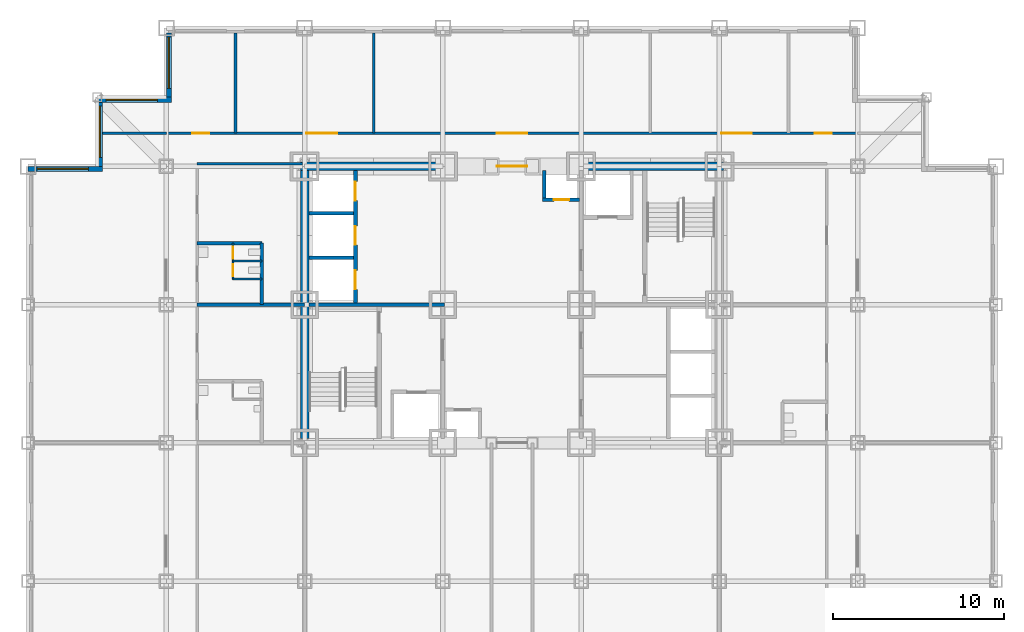
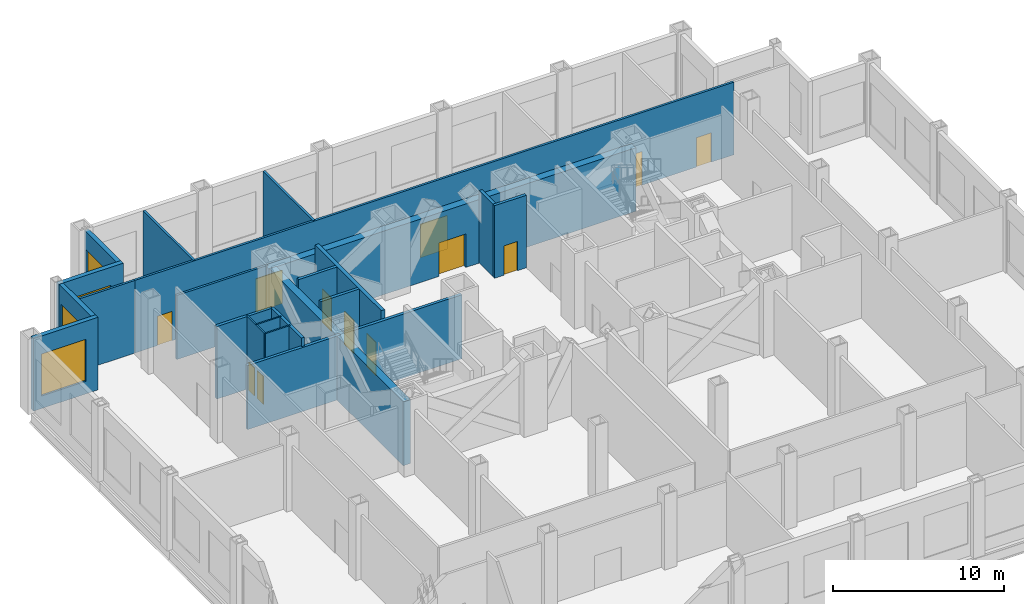
# One storey, part 6 of 10: 23 walls, 12 doors, 4 windows, 16 openings.
"""IFC4 building model written with IfcOpenShell, lengths in metres."""

from ifc_helpers import new_model, si_unit, direction, frame, frame_2d, origin, place, context, subcontext, project, spatial, rectangle, extrude, material, layer, layer_set, type_object, element, fill, save


model = new_model("IFC4")

# Units and contexts
model_context = context("Model", 3, precision=1e-05, world=origin(), true_north=direction((0.0, 1.0)))
body_context = subcontext(model_context, "Body", "Model", "MODEL_VIEW")
ifc_project = project(units=[si_unit("LENGTHUNIT", "METRE"), si_unit("AREAUNIT", "SQUARE_METRE"), si_unit("VOLUMEUNIT", "CUBIC_METRE"), si_unit("PLANEANGLEUNIT", "RADIAN"), si_unit("MASSUNIT", "GRAM", prefix="KILO")], contexts=[model_context])

# Site, building, storey
site_placement = place(None, origin())
site = spatial("IfcSite", under=ifc_project, at=site_placement, CompositionType="ELEMENT")
building_placement = place(site_placement, origin())
building = spatial("IfcBuilding", under=site, at=building_placement, Name="Kopane Lantern Tower", CompositionType="ELEMENT")
storey_placement = place(building_placement, frame((0.0, 0.0, 27.60009765625)))
storey = spatial("IfcBuildingStorey", under=building, at=storey_placement, Name="L05", CompositionType="ELEMENT", Elevation=27.60009765625)

# Wall, openings, doors
ifc_material_1 = material(Name="Moisture-resistant board on steel studs", Category="steel")
ifc_layer_1 = layer(ifc_material_1, 0.10009765625)
ifc_layer_set_1 = layer_set([ifc_layer_1], Name="BATHROOM WALL 100")
wall_type_1 = type_object("IfcWallType", Name="BATHROOM WALL 100", PredefinedType="PARTITIONING", material=ifc_layer_set_1)
wall_1_placement = place(storey_placement, frame((12.0, 33.89990234375, 0.0), z_axis=(0.0, 0.0, 1.0), x_axis=(0.0, 1.0, 0.0)))
wall_1 = element("IfcWall", 1, at=wall_1_placement, inside=storey, type_object=wall_type_1, Name="Bathroom Wall 100 L05", PredefinedType="PARTITIONING", context=body_context, shape_type="SweptSolid", body=[
    extrude(rectangle(XDim=2.10009765625, YDim=0.10009765625, at=frame_2d((1.050048828125, 0.0))), origin(), (0.0, 0.0, 1.0), 5.18994140625),
])
opening_1_placement = place(wall_1_placement, frame((0.175048828125, 0.0, 0.0)))
opening_1 = element("IfcOpeningElement", 2, at=opening_1_placement, cuts=wall_1, Name="Opening L05-026", PredefinedType="OPENING", context=body_context, shape_type="SweptSolid", body=[
    extrude(rectangle(XDim=0.699951171875, YDim=2.0, at=frame_2d((0.35009765625, 1.0))), frame((0.0, 0.06005859375, 0.0), z_axis=(0.0, -1.0, 0.0), x_axis=(1.0, 0.0, 0.0)), (0.0, 0.0, 1.0), 0.1201171875),
])
opening_2_placement = place(wall_1_placement, frame((1.199951171875, 0.0, 0.0)))
opening_2 = element("IfcOpeningElement", 3, at=opening_2_placement, cuts=wall_1, Name="Opening L05-027", PredefinedType="OPENING", context=body_context, shape_type="SweptSolid", body=[
    extrude(rectangle(XDim=0.699951171875, YDim=2.0, at=frame_2d((0.35009765625, 1.0))), frame((0.0, 0.06005859375, 0.0), z_axis=(0.0, -1.0, 0.0), x_axis=(1.0, 0.0, 0.0)), (0.0, 0.0, 1.0), 0.1201171875),
])
ifc_material_2 = material(Name="Timber door set", Category="wood")
door_type_1 = type_object("IfcDoorType", Name="DOOR D13 700x2000 WC CUBICLE", OperationType="SINGLE_SWING_LEFT", PredefinedType="DOOR", material=ifc_material_2)
door_1_placement = place(opening_1_placement, origin())
door_1 = element("IfcDoor", 4, at=door_1_placement, inside=storey, type_object=door_type_1, Name="Door L05-026", OperationType="SINGLE_SWING_LEFT", OverallHeight=2.0, OverallWidth=0.699951171875, PredefinedType="DOOR", context=body_context, shape_type="SweptSolid", body=[
    extrude(rectangle(XDim=0.699951171875, YDim=2.0, at=frame_2d((0.35009765625, 1.0))), frame((0.0, 0.02490234375, 0.0), z_axis=(0.0, -1.0, 0.0), x_axis=(1.0, 0.0, 0.0)), (0.0, 0.0, 1.0), 0.050048828125),
])
fill(opening_1, door_1)
door_2_placement = place(opening_2_placement, origin())
door_2 = element("IfcDoor", 5, at=door_2_placement, inside=storey, type_object=door_type_1, Name="Door L05-027", OperationType="SINGLE_SWING_RIGHT", OverallHeight=2.0, OverallWidth=0.699951171875, PredefinedType="DOOR", context=body_context, shape_type="SweptSolid", body=[
    extrude(rectangle(XDim=0.699951171875, YDim=2.0, at=frame_2d((0.35009765625, 1.0))), frame((0.0, 0.02490234375, 0.0), z_axis=(0.0, -1.0, 0.0), x_axis=(1.0, 0.0, 0.0)), (0.0, 0.0, 1.0), 0.050048828125),
])
fill(opening_2, door_2)

# Walls
for number, where, z_axis, x_axis, name in (
    (6, (12.0, 33.89990234375, 0.0), (0.0, 0.0, 1.0), (1.0, 0.0, 0.0), "Bathroom Wall 100 L05"),
    (7, (12.0, 34.949951171875, 0.0), (0.0, 0.0, 1.0), (1.0, 0.0, 0.0), "Bathroom Wall 100 L05"),
):
    element("IfcWall", number, at=place(storey_placement, frame(where, z_axis=z_axis, x_axis=x_axis)), inside=storey, type_object=wall_type_1, Name=name, PredefinedType="PARTITIONING", context=body_context, shape_type="SweptSolid", body=[
        extrude(rectangle(XDim=1.699951171875, YDim=0.10009765625, at=frame_2d((0.85009765625, 0.0))), origin(), (0.0, 0.0, 1.0), 5.18994140625),
    ])

# Wall, opening, door
ifc_material_3 = material(Name="Gypsum shaft wall EI 120", Category="gypsum")
ifc_layer_2 = layer(ifc_material_3, 0.5)
ifc_layer_set_2 = layer_set([ifc_layer_2], Name="CORE PERIMETER WALL 500 EI 120")
wall_type_2 = type_object("IfcWallType", Name="CORE PERIMETER WALL 500 EI 120", PredefinedType="SOLIDWALL", material=ifc_layer_set_2)
wall_2_placement = place(storey_placement, frame((15.949951171875, 40.5, 0.0), z_axis=(0.0, 0.0, 1.0), x_axis=(1.0, 0.0, 0.0)))
wall_2 = element("IfcWall", 8, at=wall_2_placement, inside=storey, type_object=wall_type_2, Name="Core shaft wall L05 PN", PredefinedType="SOLIDWALL", context=body_context, shape_type="SweptSolid", body=[
    extrude(rectangle(XDim=24.800048828125, YDim=0.5, at=frame_2d((12.39990234375, 0.0))), origin(), (0.0, 0.0, 1.0), 4.539794921875),
])
opening_3_placement = place(wall_2_placement, frame((11.5, 0.0, 0.0)))
opening_3 = element("IfcOpeningElement", 9, at=opening_3_placement, cuts=wall_2, Name="Opening 05.CE-N", PredefinedType="OPENING", context=body_context, shape_type="SweptSolid", body=[
    extrude(rectangle(XDim=1.800048828125, YDim=2.39990234375, at=frame_2d((0.89990234375, 1.199951171875))), frame((0.0, 0.260009765625, 0.0), z_axis=(0.0, -1.0, 0.0), x_axis=(1.0, 0.0, 0.0)), (0.0, 0.0, 1.0), 0.52001953125),
])
ifc_material_4 = material(Name="Steel door set", Category="steel")
door_type_2 = type_object("IfcDoorType", Name="CORE ENTRY DOOR 1800x2400 FD60S", OperationType="DOUBLE_DOOR_SINGLE_SWING", PredefinedType="DOOR", material=ifc_material_4)
door_3_placement = place(opening_3_placement, origin())
door_3 = element("IfcDoor", 10, at=door_3_placement, inside=storey, type_object=door_type_2, Name="Core entry door L05 north", OperationType="DOUBLE_DOOR_SINGLE_SWING", OverallHeight=2.39990234375, OverallWidth=1.800048828125, PredefinedType="DOOR", context=body_context, shape_type="SweptSolid", body=[
    extrude(rectangle(XDim=1.800048828125, YDim=2.39990234375, at=frame_2d((0.89990234375, 1.199951171875))), frame((0.0, 0.02490234375, 0.0), z_axis=(0.0, -1.0, 0.0), x_axis=(1.0, 0.0, 0.0)), (0.0, 0.0, 1.0), 0.050048828125),
])
fill(opening_3, door_3)

# Wall
wall_3_placement = place(storey_placement, frame((16.199951171875, 24.550048828125, 0.0), z_axis=(0.0, 0.0, 1.0), x_axis=(0.0, 1.0, 0.0)))
element("IfcWall", 11, at=wall_3_placement, inside=storey, type_object=wall_type_2, Name="Core shaft wall L05 PW", PredefinedType="SOLIDWALL", context=body_context, shape_type="SweptSolid", body=[
    extrude(rectangle(XDim=15.699951171875, YDim=0.5, at=frame_2d((7.85009765625, 0.0))), origin(), (0.0, 0.0, 1.0), 4.57763671875),
])

# Wall, openings, doors
ifc_material_5 = material(Name="Gypsum shaft wall EI 120", Category="gypsum")
ifc_layer_3 = layer(ifc_material_5, 0.25)
ifc_layer_set_3 = layer_set([ifc_layer_3], Name="CORE SHAFT WALL 250 EI 120")
wall_type_3 = type_object("IfcWallType", Name="CORE SHAFT WALL 250 EI 120", PredefinedType="SOLIDWALL", material=ifc_layer_set_3)
wall_4_placement = place(storey_placement, frame((19.175048828125, 32.5, 0.0), z_axis=(0.0, 0.0, 1.0), x_axis=(0.0, 1.0, 0.0)))
wall_4 = element("IfcWall", 12, at=wall_4_placement, inside=storey, type_object=wall_type_3, Name="Core shaft wall L05 XLH", PredefinedType="SOLIDWALL", context=body_context, shape_type="SweptSolid", body=[
    extrude(rectangle(XDim=7.75, YDim=0.25, at=frame_2d((3.875, 0.0))), origin(), (0.0, 0.0, 1.0), 5.18994140625),
])
opening_4_placement = place(wall_4_placement, frame((0.800048828125, 0.0, 0.0)))
opening_4 = element("IfcOpeningElement", 13, at=opening_4_placement, cuts=wall_4, Name="Opening 05.LD-LH1", PredefinedType="OPENING", context=body_context, shape_type="SweptSolid", body=[
    extrude(rectangle(XDim=1.10009765625, YDim=2.39990234375, at=frame_2d((0.550048828125, 1.199951171875))), frame((0.0, 0.135009765625, 0.0), z_axis=(0.0, -1.0, 0.0), x_axis=(1.0, 0.0, 0.0)), (0.0, 0.0, 1.0), 0.27001953125),
])
opening_5_placement = place(wall_4_placement, frame((3.39990234375, 0.0, 0.0)))
opening_5 = element("IfcOpeningElement", 14, at=opening_5_placement, cuts=wall_4, Name="Opening 05.LD-LH2", PredefinedType="OPENING", context=body_context, shape_type="SweptSolid", body=[
    extrude(rectangle(XDim=1.10009765625, YDim=2.39990234375, at=frame_2d((0.550048828125, 1.199951171875))), frame((0.0, 0.135009765625, 0.0), z_axis=(0.0, -1.0, 0.0), x_axis=(1.0, 0.0, 0.0)), (0.0, 0.0, 1.0), 0.27001953125),
])
opening_6_placement = place(wall_4_placement, frame((6.0, 0.0, 0.0)))
opening_6 = element("IfcOpeningElement", 15, at=opening_6_placement, cuts=wall_4, Name="Opening 05.LD-LH3", PredefinedType="OPENING", context=body_context, shape_type="SweptSolid", body=[
    extrude(rectangle(XDim=1.10009765625, YDim=2.39990234375, at=frame_2d((0.550048828125, 1.199951171875))), frame((0.0, 0.135009765625, 0.0), z_axis=(0.0, -1.0, 0.0), x_axis=(1.0, 0.0, 0.0)), (0.0, 0.0, 1.0), 0.27001953125),
])
ifc_material_6 = material(Name="Steel door set", Category="steel")
door_type_3 = type_object("IfcDoorType", Name="LIFT LANDING DOOR 1100x2400 FD60", OperationType="DOUBLE_DOOR_SLIDING", PredefinedType="DOOR", material=ifc_material_6)
door_4_placement = place(opening_4_placement, origin())
door_4 = element("IfcDoor", 16, at=door_4_placement, inside=storey, type_object=door_type_3, Name="Landing door LH1 L05", OperationType="DOUBLE_DOOR_SLIDING", OverallHeight=2.39990234375, OverallWidth=1.10009765625, PredefinedType="DOOR", context=body_context, shape_type="SweptSolid", body=[
    extrude(rectangle(XDim=1.10009765625, YDim=2.39990234375, at=frame_2d((0.550048828125, 1.199951171875))), frame((0.0, 0.02490234375, 0.0), z_axis=(0.0, -1.0, 0.0), x_axis=(1.0, 0.0, 0.0)), (0.0, 0.0, 1.0), 0.050048828125),
])
fill(opening_4, door_4)
door_5_placement = place(opening_5_placement, origin())
door_5 = element("IfcDoor", 17, at=door_5_placement, inside=storey, type_object=door_type_3, Name="Landing door LH2 L05", OperationType="DOUBLE_DOOR_SLIDING", OverallHeight=2.39990234375, OverallWidth=1.10009765625, PredefinedType="DOOR", context=body_context, shape_type="SweptSolid", body=[
    extrude(rectangle(XDim=1.10009765625, YDim=2.39990234375, at=frame_2d((0.550048828125, 1.199951171875))), frame((0.0, 0.02490234375, 0.0), z_axis=(0.0, -1.0, 0.0), x_axis=(1.0, 0.0, 0.0)), (0.0, 0.0, 1.0), 0.050048828125),
])
fill(opening_5, door_5)
door_6_placement = place(opening_6_placement, origin())
door_6 = element("IfcDoor", 18, at=door_6_placement, inside=storey, type_object=door_type_3, Name="Landing door LH3 L05", OperationType="DOUBLE_DOOR_SLIDING", OverallHeight=2.39990234375, OverallWidth=1.10009765625, PredefinedType="DOOR", context=body_context, shape_type="SweptSolid", body=[
    extrude(rectangle(XDim=1.10009765625, YDim=2.39990234375, at=frame_2d((0.550048828125, 1.199951171875))), frame((0.0, 0.02490234375, 0.0), z_axis=(0.0, -1.0, 0.0), x_axis=(1.0, 0.0, 0.0)), (0.0, 0.0, 1.0), 0.050048828125),
])
fill(opening_6, door_6)

ifc_material_7 = material(Name="Gypsum board on steel studs", Category="steel")
ifc_layer_4 = layer(ifc_material_7, 0.14990234375)
ifc_layer_set_4 = layer_set([ifc_layer_4], Name="CORRIDOR WALL 150 EI 60")
wall_type_4 = type_object("IfcWallType", Name="CORRIDOR WALL 150 EI 60", PredefinedType="PARTITIONING", material=ifc_layer_set_4)
wall_5_placement = place(storey_placement, frame((8.10009765625, 42.449951171875, 0.0), z_axis=(0.0, 0.0, 1.0), x_axis=(1.0, 0.0, 0.0)))
wall_5 = element("IfcWall", 19, at=wall_5_placement, inside=storey, type_object=wall_type_4, Name="Corridor Wall 150 Ei 60 L05", PredefinedType="PARTITIONING", context=body_context, shape_type="SweptSolid", body=[
    extrude(rectangle(XDim=40.5, YDim=0.14990234375, at=frame_2d((20.25, 0.0))), origin(), (0.0, 0.0, 1.0), 5.18994140625),
])
opening_7_placement = place(wall_5_placement, frame((8.199951171875, 0.0, 0.0)))
opening_7 = element("IfcOpeningElement", 20, at=opening_7_placement, cuts=wall_5, Name="Opening L05-014", PredefinedType="OPENING", context=body_context, shape_type="SweptSolid", body=[
    extrude(rectangle(XDim=1.800048828125, YDim=2.39990234375, at=frame_2d((0.89990234375, 1.199951171875))), frame((0.0, 0.0849609375, 0.0), z_axis=(0.0, -1.0, 0.0), x_axis=(1.0, 0.0, 0.0)), (0.0, 0.0, 1.0), 0.169921875),
])
opening_8_placement = place(wall_5_placement, frame((19.35009765625, 0.0, 0.0)))
opening_8 = element("IfcOpeningElement", 21, at=opening_8_placement, cuts=wall_5, Name="Opening L05-015", PredefinedType="OPENING", context=body_context, shape_type="SweptSolid", body=[
    extrude(rectangle(XDim=1.800048828125, YDim=2.39990234375, at=frame_2d((0.89990234375, 1.199951171875))), frame((0.0, 0.0849609375, 0.0), z_axis=(0.0, -1.0, 0.0), x_axis=(1.0, 0.0, 0.0)), (0.0, 0.0, 1.0), 0.169921875),
])
opening_9_placement = place(wall_5_placement, frame((32.5, 0.0, 0.0)))
opening_9 = element("IfcOpeningElement", 22, at=opening_9_placement, cuts=wall_5, Name="Opening L05-016", PredefinedType="OPENING", context=body_context, shape_type="SweptSolid", body=[
    extrude(rectangle(XDim=1.800048828125, YDim=2.39990234375, at=frame_2d((0.89990234375, 1.199951171875))), frame((0.0, 0.0849609375, 0.0), z_axis=(0.0, -1.0, 0.0), x_axis=(1.0, 0.0, 0.0)), (0.0, 0.0, 1.0), 0.169921875),
])
opening_10_placement = place(wall_5_placement, frame((37.97509765625, 0.0, 0.0)))
opening_10 = element("IfcOpeningElement", 23, at=opening_10_placement, cuts=wall_5, Name="Opening L05-023", PredefinedType="OPENING", context=body_context, shape_type="SweptSolid", body=[
    extrude(rectangle(XDim=1.0, YDim=2.10009765625, at=frame_2d((0.5, 1.050048828125))), frame((0.0, 0.0849609375, 0.0), z_axis=(0.0, -1.0, 0.0), x_axis=(1.0, 0.0, 0.0)), (0.0, 0.0, 1.0), 0.169921875),
])
opening_11_placement = place(wall_5_placement, frame((1.52490234375, 0.0, 0.0)))
opening_11 = element("IfcOpeningElement", 24, at=opening_11_placement, cuts=wall_5, Name="Opening L05-024", PredefinedType="OPENING", context=body_context, shape_type="SweptSolid", body=[
    extrude(rectangle(XDim=1.0, YDim=2.10009765625, at=frame_2d((0.5, 1.050048828125))), frame((0.0, 0.0849609375, 0.0), z_axis=(0.0, -1.0, 0.0), x_axis=(1.0, 0.0, 0.0)), (0.0, 0.0, 1.0), 0.169921875),
])
ifc_material_8 = material(Name="Steel door set", Category="steel")
door_type_4 = type_object("IfcDoorType", Name="DOOR D5 1000x2100 FD60", OperationType="SINGLE_SWING_LEFT", PredefinedType="DOOR", material=ifc_material_8)
door_7_placement = place(opening_10_placement, origin())
door_7 = element("IfcDoor", 25, at=door_7_placement, inside=storey, type_object=door_type_4, Name="Door L05-023", OperationType="SINGLE_SWING_LEFT", OverallHeight=2.10009765625, OverallWidth=1.0, PredefinedType="DOOR", context=body_context, shape_type="SweptSolid", body=[
    extrude(rectangle(XDim=1.0, YDim=2.10009765625, at=frame_2d((0.5, 1.050048828125))), frame((0.0, 0.02490234375, 0.0), z_axis=(0.0, -1.0, 0.0), x_axis=(1.0, 0.0, 0.0)), (0.0, 0.0, 1.0), 0.050048828125),
])
fill(opening_10, door_7)
door_8_placement = place(opening_11_placement, origin())
door_8 = element("IfcDoor", 26, at=door_8_placement, inside=storey, type_object=door_type_4, Name="Door L05-024", OperationType="SINGLE_SWING_RIGHT", OverallHeight=2.10009765625, OverallWidth=1.0, PredefinedType="DOOR", context=body_context, shape_type="SweptSolid", body=[
    extrude(rectangle(XDim=1.0, YDim=2.10009765625, at=frame_2d((0.5, 1.050048828125))), frame((0.0, 0.02490234375, 0.0), z_axis=(0.0, -1.0, 0.0), x_axis=(1.0, 0.0, 0.0)), (0.0, 0.0, 1.0), 0.050048828125),
])
fill(opening_11, door_8)
ifc_material_9 = material(Name="Steel door set", Category="steel")
door_type_5 = type_object("IfcDoorType", Name="DOOR D6 1800x2400 FD30S", OperationType="SINGLE_SWING_LEFT", PredefinedType="DOOR", material=ifc_material_9)
door_9_placement = place(opening_7_placement, origin())
door_9 = element("IfcDoor", 27, at=door_9_placement, inside=storey, type_object=door_type_5, Name="Door L05-014", OperationType="DOUBLE_DOOR_SINGLE_SWING", OverallHeight=2.39990234375, OverallWidth=1.800048828125, PredefinedType="DOOR", context=body_context, shape_type="SweptSolid", body=[
    extrude(rectangle(XDim=1.800048828125, YDim=2.39990234375, at=frame_2d((0.89990234375, 1.199951171875))), frame((0.0, 0.02490234375, 0.0), z_axis=(0.0, -1.0, 0.0), x_axis=(1.0, 0.0, 0.0)), (0.0, 0.0, 1.0), 0.050048828125),
])
fill(opening_7, door_9)
ifc_material_10 = material(Name="Steel door set", Category="steel")
door_type_6 = type_object("IfcDoorType", Name="DOOR D8 1800x2400 FD120", OperationType="SINGLE_SWING_LEFT", PredefinedType="DOOR", material=ifc_material_10)
door_10_placement = place(opening_8_placement, origin())
door_10 = element("IfcDoor", 28, at=door_10_placement, inside=storey, type_object=door_type_6, Name="Door L05-015", OperationType="DOUBLE_DOOR_SINGLE_SWING", OverallHeight=2.39990234375, OverallWidth=1.800048828125, PredefinedType="DOOR", context=body_context, shape_type="SweptSolid", body=[
    extrude(rectangle(XDim=1.800048828125, YDim=2.39990234375, at=frame_2d((0.89990234375, 1.199951171875))), frame((0.0, 0.02490234375, 0.0), z_axis=(0.0, -1.0, 0.0), x_axis=(1.0, 0.0, 0.0)), (0.0, 0.0, 1.0), 0.050048828125),
])
fill(opening_8, door_10)
door_11_placement = place(opening_9_placement, origin())
door_11 = element("IfcDoor", 29, at=door_11_placement, inside=storey, type_object=door_type_6, Name="Door L05-016", OperationType="DOUBLE_DOOR_SINGLE_SWING", OverallHeight=2.39990234375, OverallWidth=1.800048828125, PredefinedType="DOOR", context=body_context, shape_type="SweptSolid", body=[
    extrude(rectangle(XDim=1.800048828125, YDim=2.39990234375, at=frame_2d((0.89990234375, 1.199951171875))), frame((0.0, 0.02490234375, 0.0), z_axis=(0.0, -1.0, 0.0), x_axis=(1.0, 0.0, 0.0)), (0.0, 0.0, 1.0), 0.050048828125),
])
fill(opening_9, door_11)

# Walls
wall_6_placement = place(storey_placement, frame((16.068115234375, 40.64990234375, 0.0), z_axis=(0.0, 0.0, 1.0), x_axis=(-1.0, 0.0, 0.0)))
element("IfcWall", 30, at=wall_6_placement, inside=storey, type_object=wall_type_4, Name="Corridor Wall 150 Ei 60 L05", PredefinedType="PARTITIONING", context=body_context, shape_type="SweptSolid", body=[
    extrude(rectangle(XDim=6.168212890625, YDim=0.14990234375, at=frame_2d((3.083984375, 0.0))), origin(), (0.0, 0.0, 1.0), 4.57763671875),
])
ifc_material_11 = material(Name="Gypsum board on steel studs", Category="steel")
ifc_layer_5 = layer(ifc_material_11, 0.14990234375)
ifc_layer_set_5 = layer_set([ifc_layer_5], Name="DEMISING WALL 150 EI 60")
wall_type_5 = type_object("IfcWallType", Name="DEMISING WALL 150 EI 60", PredefinedType="PARTITIONING", material=ifc_layer_set_5)
wall_7_placement = place(storey_placement, frame((20.25, 42.449951171875, 0.0), z_axis=(0.0, 0.0, 1.0), x_axis=(0.0, 1.0, 0.0)))
element("IfcWall", 31, at=wall_7_placement, inside=storey, type_object=wall_type_5, Name="Demising Wall 150 Ei 60 L05", PredefinedType="PARTITIONING", context=body_context, shape_type="SweptSolid", body=[
    extrude(rectangle(XDim=5.85009765625, YDim=0.14990234375, at=frame_2d((2.925048828125, 0.0))), origin(), (0.0, 0.0, 1.0), 5.18994140625),
])
wall_8_placement = place(storey_placement, frame((4.35009765625, 42.449951171875, 0.0), z_axis=(0.0, 0.0, 1.0), x_axis=(1.0, 0.0, 0.0)))
element("IfcWall", 32, at=wall_8_placement, inside=storey, type_object=wall_type_5, Name="Demising Wall 150 Ei 60 L05", PredefinedType="PARTITIONING", context=body_context, shape_type="SweptSolid", body=[
    extrude(rectangle(XDim=3.75, YDim=0.14990234375, at=frame_2d((1.875, 0.0))), origin(), (0.0, 0.0, 1.0), 5.18994140625),
])
wall_9_placement = place(storey_placement, frame((12.14990234375, 42.449951171875, 0.0), z_axis=(0.0, 0.0, 1.0), x_axis=(0.0, 1.0, 0.0)))
element("IfcWall", 33, at=wall_9_placement, inside=storey, type_object=wall_type_5, Name="Demising Wall 150 Ei 60 L05", PredefinedType="PARTITIONING", context=body_context, shape_type="SweptSolid", body=[
    extrude(rectangle(XDim=5.85009765625, YDim=0.14990234375, at=frame_2d((2.925048828125, 0.0))), origin(), (0.0, 0.0, 1.0), 5.18994140625),
])

# Wall, opening, window
ifc_material_12 = material(Name="Terracotta rainscreen on light steel framing", Category="masonry")
ifc_layer_6 = layer(ifc_material_12, 0.300048828125)
ifc_layer_set_6 = layer_set([ifc_layer_6], Name="EXTERNAL WALL EW1 300 TERRACOTTA")
wall_type_6 = type_object("IfcWallType", Name="EXTERNAL WALL EW1 300 TERRACOTTA", PredefinedType="SOLIDWALL", material=ifc_layer_set_6)
wall_10_placement = place(storey_placement, frame((8.25, 48.300048828125, 0.0), z_axis=(0.0, 0.0, 1.0), x_axis=(0.0, -1.0, 0.0)))
wall_10 = element("IfcWall", 34, at=wall_10_placement, inside=storey, type_object=wall_type_6, Name="External wall W L05", PredefinedType="SOLIDWALL", context=body_context, shape_type="SweptSolid", body=[
    extrude(rectangle(XDim=3.75, YDim=0.300048828125, at=frame_2d((1.875, 0.0))), origin(), (0.0, 0.0, 1.0), 5.18994140625),
])
opening_12_placement = place(wall_10_placement, frame((0.22509765625, 0.0, 0.89990234375)))
opening_12 = element("IfcOpeningElement", 35, at=opening_12_placement, cuts=wall_10, Name="Opening WR300300", PredefinedType="OPENING", context=body_context, shape_type="SweptSolid", body=[
    extrude(rectangle(XDim=3.0, YDim=3.0, at=frame_2d((1.5, 1.5))), frame((0.0, 0.159912109375, 0.0), z_axis=(0.0, -1.0, 0.0), x_axis=(1.0, 0.0, 0.0)), (0.0, 0.0, 1.0), 0.320068359375),
])
ifc_material_13 = material(Name="Aluminium and clear glass", Category="aluminium")
window_type = type_object("IfcWindowType", Name="RIBBON WINDOW WR300300 3000x3000", PartitioningType="SINGLE_PANEL", PredefinedType="WINDOW", material=ifc_material_13)
window_1_placement = place(opening_12_placement, origin())
window_1 = element("IfcWindow", 36, at=window_1_placement, inside=storey, type_object=window_type, Name="Window W L05", OverallHeight=3.0, OverallWidth=3.0, PartitioningType="SINGLE_PANEL", PredefinedType="WINDOW", context=body_context, shape_type="SweptSolid", body=[
    extrude(rectangle(XDim=3.0, YDim=3.0, at=frame_2d((1.5, 1.5))), frame((0.0, 0.030029296875, 0.0), z_axis=(0.0, -1.0, 0.0), x_axis=(1.0, 0.0, 0.0)), (0.0, 0.0, 1.0), 0.06005859375),
])
fill(opening_12, window_1)

wall_11_placement = place(storey_placement, frame((8.39990234375, 44.39990234375, 0.0), z_axis=(0.0, 0.0, 1.0), x_axis=(-1.0, 0.0, 0.0)))
wall_11 = element("IfcWall", 37, at=wall_11_placement, inside=storey, type_object=wall_type_6, Name="External wall N L05", PredefinedType="SOLIDWALL", context=body_context, shape_type="SweptSolid", body=[
    extrude(rectangle(XDim=4.349853515625, YDim=0.300048828125, at=frame_2d((2.1748046875, 0.0))), origin(), (0.0, 0.0, 1.0), 5.18994140625),
])
opening_13_placement = place(wall_11_placement, frame((0.824951171875, 0.0, 0.89990234375)))
opening_13 = element("IfcOpeningElement", 38, at=opening_13_placement, cuts=wall_11, Name="Opening WR300300", PredefinedType="OPENING", context=body_context, shape_type="SweptSolid", body=[
    extrude(rectangle(XDim=3.0, YDim=3.0, at=frame_2d((1.5, 1.5))), frame((0.0, 0.159912109375, 0.0), z_axis=(0.0, -1.0, 0.0), x_axis=(1.0, 0.0, 0.0)), (0.0, 0.0, 1.0), 0.320068359375),
])
window_2_placement = place(opening_13_placement, origin())
window_2 = element("IfcWindow", 39, at=window_2_placement, inside=storey, type_object=window_type, Name="Window N L05", OverallHeight=3.0, OverallWidth=3.0, PartitioningType="SINGLE_PANEL", PredefinedType="WINDOW", context=body_context, shape_type="SweptSolid", body=[
    extrude(rectangle(XDim=3.0, YDim=3.0, at=frame_2d((1.5, 1.5))), frame((0.0, 0.030029296875, 0.0), z_axis=(0.0, -1.0, 0.0), x_axis=(1.0, 0.0, 0.0)), (0.0, 0.0, 1.0), 0.06005859375),
])
fill(opening_13, window_2)

wall_12_placement = place(storey_placement, frame((4.199951171875, 44.25, 0.0), z_axis=(0.0, 0.0, 1.0), x_axis=(0.0, -1.0, 0.0)))
wall_12 = element("IfcWall", 40, at=wall_12_placement, inside=storey, type_object=wall_type_6, Name="External wall W L05", PredefinedType="SOLIDWALL", context=body_context, shape_type="SweptSolid", body=[
    extrude(rectangle(XDim=3.75, YDim=0.300048828125, at=frame_2d((1.875, 0.0))), origin(), (0.0, 0.0, 1.0), 5.18994140625),
])
opening_14_placement = place(wall_12_placement, frame((0.22509765625, 0.0, 0.89990234375)))
opening_14 = element("IfcOpeningElement", 41, at=opening_14_placement, cuts=wall_12, Name="Opening WR300300", PredefinedType="OPENING", context=body_context, shape_type="SweptSolid", body=[
    extrude(rectangle(XDim=3.0, YDim=3.0, at=frame_2d((1.5, 1.5))), frame((0.0, 0.159912109375, 0.0), z_axis=(0.0, -1.0, 0.0), x_axis=(1.0, 0.0, 0.0)), (0.0, 0.0, 1.0), 0.320068359375),
])
window_3_placement = place(opening_14_placement, origin())
window_3 = element("IfcWindow", 42, at=window_3_placement, inside=storey, type_object=window_type, Name="Window W L05", OverallHeight=3.0, OverallWidth=3.0, PartitioningType="SINGLE_PANEL", PredefinedType="WINDOW", context=body_context, shape_type="SweptSolid", body=[
    extrude(rectangle(XDim=3.0, YDim=3.0, at=frame_2d((1.5, 1.5))), frame((0.0, 0.030029296875, 0.0), z_axis=(0.0, -1.0, 0.0), x_axis=(1.0, 0.0, 0.0)), (0.0, 0.0, 1.0), 0.06005859375),
])
fill(opening_14, window_3)

wall_13_placement = place(storey_placement, frame((4.35009765625, 40.35009765625, 0.0), z_axis=(0.0, 0.0, 1.0), x_axis=(-1.0, 0.0, 0.0)))
wall_13 = element("IfcWall", 43, at=wall_13_placement, inside=storey, type_object=wall_type_6, Name="External wall N L05", PredefinedType="SOLIDWALL", context=body_context, shape_type="SweptSolid", body=[
    extrude(rectangle(XDim=4.35009765625, YDim=0.300048828125, at=frame_2d((2.175048828125, 0.0))), origin(), (0.0, 0.0, 1.0), 5.18994140625),
])
opening_15_placement = place(wall_13_placement, frame((0.824951171875, 0.0, 0.89990234375)))
opening_15 = element("IfcOpeningElement", 44, at=opening_15_placement, cuts=wall_13, Name="Opening WR300300", PredefinedType="OPENING", context=body_context, shape_type="SweptSolid", body=[
    extrude(rectangle(XDim=3.0, YDim=3.0, at=frame_2d((1.5, 1.5))), frame((0.0, 0.159912109375, 0.0), z_axis=(0.0, -1.0, 0.0), x_axis=(1.0, 0.0, 0.0)), (0.0, 0.0, 1.0), 0.320068359375),
])
window_4_placement = place(opening_15_placement, origin())
window_4 = element("IfcWindow", 45, at=window_4_placement, inside=storey, type_object=window_type, Name="Window N L05", OverallHeight=3.0, OverallWidth=3.0, PartitioningType="SINGLE_PANEL", PredefinedType="WINDOW", context=body_context, shape_type="SweptSolid", body=[
    extrude(rectangle(XDim=3.0, YDim=3.0, at=frame_2d((1.5, 1.5))), frame((0.0, 0.030029296875, 0.0), z_axis=(0.0, -1.0, 0.0), x_axis=(1.0, 0.0, 0.0)), (0.0, 0.0, 1.0), 0.06005859375),
])
fill(opening_15, window_4)

# Walls
ifc_material_14 = material(Name="Concrete masonry", Category="masonry")
ifc_layer_7 = layer(ifc_material_14, 0.199951171875)
ifc_layer_set_7 = layer_set([ifc_layer_7], Name="PLANT ROOM WALL 200 EI 120")
wall_type_7 = type_object("IfcWallType", Name="PLANT ROOM WALL 200 EI 120", PredefinedType="SOLIDWALL", material=ifc_layer_set_7)
wall_14_placement = place(storey_placement, frame((9.89990234375, 32.39990234375, 0.0), z_axis=(0.0, 0.0, 1.0), x_axis=(1.0, 0.0, 0.0)))
element("IfcWall", 46, at=wall_14_placement, inside=storey, type_object=wall_type_7, Name="Plant Room Wall 200 Ei 120 L05", PredefinedType="SOLIDWALL", context=body_context, shape_type="SweptSolid", body=[
    extrude(rectangle(XDim=6.300048828125, YDim=0.199951171875, at=frame_2d((3.14990234375, 0.0))), origin(), (0.0, 0.0, 1.0), 4.57763671875),
])
wall_15_placement = place(storey_placement, frame((9.89990234375, 36.0, 0.0), z_axis=(0.0, 0.0, 1.0), x_axis=(1.0, 0.0, 0.0)))
element("IfcWall", 47, at=wall_15_placement, inside=storey, type_object=wall_type_7, Name="Plant Room Wall 200 Ei 120 L05", PredefinedType="SOLIDWALL", context=body_context, shape_type="SweptSolid", body=[
    extrude(rectangle(XDim=3.800048828125, YDim=0.199951171875, at=frame_2d((1.89990234375, 0.0))), origin(), (0.0, 0.0, 1.0), 5.18994140625),
])
wall_16_placement = place(storey_placement, frame((13.699951171875, 32.39990234375, 0.0), z_axis=(0.0, 0.0, 1.0), x_axis=(0.0, 1.0, 0.0)))
element("IfcWall", 48, at=wall_16_placement, inside=storey, type_object=wall_type_7, Name="Plant Room Wall 200 Ei 120 L05", PredefinedType="SOLIDWALL", context=body_context, shape_type="SweptSolid", body=[
    extrude(rectangle(XDim=3.60009765625, YDim=0.199951171875, at=frame_2d((1.800048828125, 0.0))), origin(), (0.0, 0.0, 1.0), 5.18994140625),
])
ifc_material_15 = material(Name="Gypsum shaft wall EI 120", Category="gypsum")
ifc_layer_8 = layer(ifc_material_15, 0.199951171875)
ifc_layer_set_8 = layer_set([ifc_layer_8], Name="SHAFT WALL 200 EI 120")
wall_type_8 = type_object("IfcWallType", Name="SHAFT WALL 200 EI 120", PredefinedType="SOLIDWALL", material=ifc_layer_set_8)
wall_17_placement = place(storey_placement, frame((16.449951171875, 32.39990234375, 0.0), z_axis=(0.0, 0.0, 1.0), x_axis=(1.0, 0.0, 0.0)))
element("IfcWall", 49, at=wall_17_placement, inside=storey, type_object=wall_type_8, Name="Core shaft wall L05 Y324W", PredefinedType="SOLIDWALL", context=body_context, shape_type="SweptSolid", body=[
    extrude(rectangle(XDim=7.949951171875, YDim=0.199951171875, at=frame_2d((3.97509765625, 0.0))), origin(), (0.0, 0.0, 1.0), 4.57763671875),
])
for number, where, z_axis, x_axis, name in (
    (50, (16.449951171875, 35.14990234375, 0.0), (0.0, 0.0, 1.0), (1.0, 0.0, 0.0), "Core shaft wall L05 YLH12"),
    (51, (16.449951171875, 37.75, 0.0), (0.0, 0.0, 1.0), (1.0, 0.0, 0.0), "Core shaft wall L05 YLH23"),
):
    element("IfcWall", number, at=place(storey_placement, frame(where, z_axis=z_axis, x_axis=x_axis)), inside=storey, type_object=wall_type_8, Name=name, PredefinedType="SOLIDWALL", context=body_context, shape_type="SweptSolid", body=[
        extrude(rectangle(XDim=2.60009765625, YDim=0.199951171875, at=frame_2d((1.300048828125, 0.0))), origin(), (0.0, 0.0, 1.0), 5.18994140625),
    ])
wall_18_placement = place(storey_placement, frame((30.25, 38.64990234375, 0.0), z_axis=(0.0, 0.0, 1.0), x_axis=(0.0, 1.0, 0.0)))
element("IfcWall", 52, at=wall_18_placement, inside=storey, type_object=wall_type_8, Name="Core shaft wall L05 XRS2", PredefinedType="SOLIDWALL", context=body_context, shape_type="SweptSolid", body=[
    extrude(rectangle(XDim=1.60009765625, YDim=0.199951171875, at=frame_2d((0.800048828125, 0.0))), origin(), (0.0, 0.0, 1.0), 5.18994140625),
])

# Wall, opening, door
wall_19_placement = place(storey_placement, frame((30.14990234375, 38.550048828125, 0.0), z_axis=(0.0, 0.0, 1.0), x_axis=(1.0, 0.0, 0.0)))
wall_19 = element("IfcWall", 53, at=wall_19_placement, inside=storey, type_object=wall_type_8, Name="Core shaft wall L05 YRS2", PredefinedType="SOLIDWALL", context=body_context, shape_type="SweptSolid", body=[
    extrude(rectangle(XDim=2.150146484375, YDim=0.199951171875, at=frame_2d((1.0751953125, 0.0))), origin(), (0.0, 0.0, 1.0), 5.18994140625),
])
opening_16_placement = place(wall_19_placement, frame((0.64990234375, 0.0, 0.0)))
opening_16 = element("IfcOpeningElement", 54, at=opening_16_placement, cuts=wall_19, Name="Opening 05.RS2", PredefinedType="OPENING", context=body_context, shape_type="SweptSolid", body=[
    extrude(rectangle(XDim=0.89990234375, YDim=2.10009765625, at=frame_2d((0.449951171875, 1.050048828125))), frame((0.0, 0.10986328125, 0.0), z_axis=(0.0, -1.0, 0.0), x_axis=(1.0, 0.0, 0.0)), (0.0, 0.0, 1.0), 0.219970703125),
])
ifc_material_16 = material(Name="Steel door set", Category="steel")
door_type_7 = type_object("IfcDoorType", Name="RISER ACCESS DOOR 900x2100 FD60", OperationType="SINGLE_SWING_LEFT", PredefinedType="DOOR", material=ifc_material_16)
door_12_placement = place(opening_16_placement, origin())
door_12 = element("IfcDoor", 55, at=door_12_placement, inside=storey, type_object=door_type_7, Name="Riser access door RS2 L05", OperationType="SINGLE_SWING_LEFT", OverallHeight=2.10009765625, OverallWidth=0.89990234375, PredefinedType="DOOR", context=body_context, shape_type="SweptSolid", body=[
    extrude(rectangle(XDim=0.89990234375, YDim=2.10009765625, at=frame_2d((0.449951171875, 1.050048828125))), frame((0.0, 0.02490234375, 0.0), z_axis=(0.0, -1.0, 0.0), x_axis=(1.0, 0.0, 0.0)), (0.0, 0.0, 1.0), 0.050048828125),
])
fill(opening_16, door_12)

save(model, "model.ifc")
